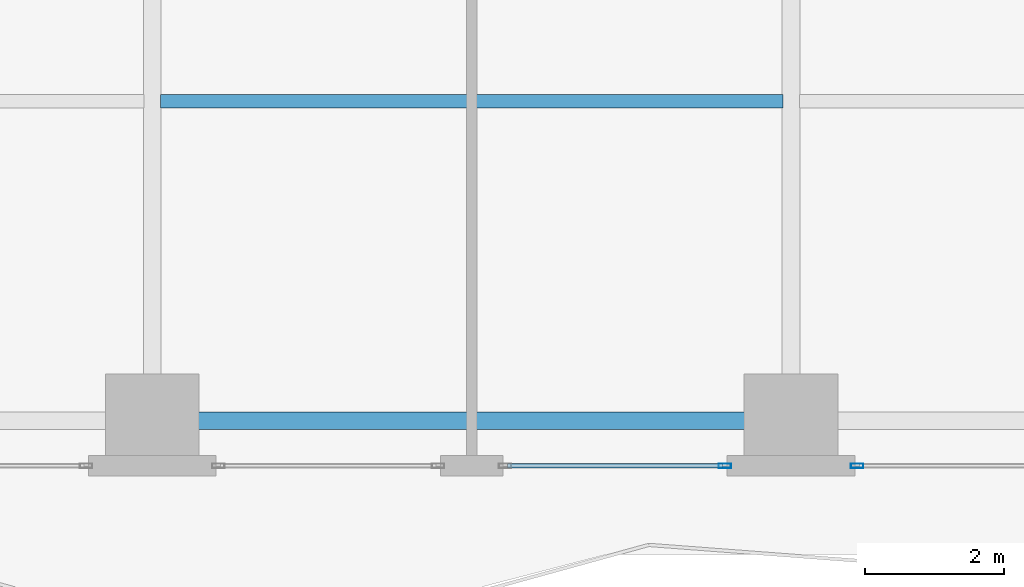
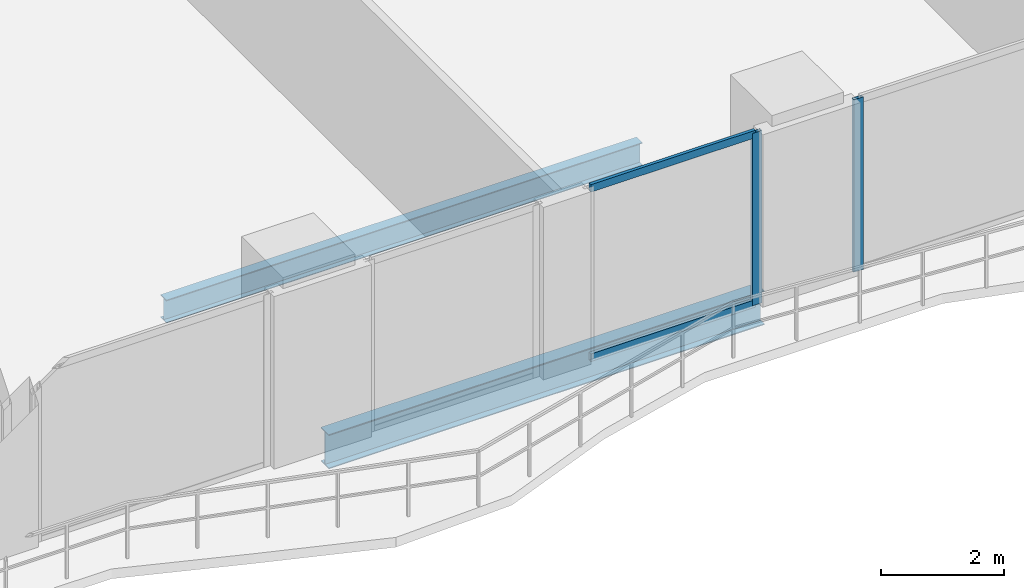
# One storey, part 5 of 30: 4 members, 2 beams, 2 elements without a shape of their own.
"""IFC4 building model written with IfcOpenShell, lengths in metres."""

from ifc_helpers import new_model, si_unit, direction, frame, origin, origin_2d, place, context, subcontext, project, spatial, hollow_rectangle, i_section, extrude, material, layer, layer_set, material_profile, profile_set, type_object, element, aggregate, save


model = new_model("IFC4")

# Units and contexts
model_context = context("Model", 3, precision=1e-05, world=origin(), true_north=direction((0.0, 1.0)))
body_context = subcontext(model_context, "Body", "Model", "MODEL_VIEW")
ifc_project = project(units=[si_unit("LENGTHUNIT", "METRE"), si_unit("AREAUNIT", "SQUARE_METRE"), si_unit("VOLUMEUNIT", "CUBIC_METRE"), si_unit("PLANEANGLEUNIT", "RADIAN"), si_unit("MASSUNIT", "GRAM", prefix="KILO")], contexts=[model_context])

# Site, building, storey
site_placement = place(None, origin())
site = spatial("IfcSite", under=ifc_project, at=site_placement, CompositionType="ELEMENT")
building_placement = place(site_placement, origin())
building = spatial("IfcBuilding", under=site, at=building_placement, Name="Zuhayl Quay Hotel", CompositionType="ELEMENT")
storey_placement = place(building_placement, frame((0.0, 0.0, 135.800048828125)))
storey = spatial("IfcBuildingStorey", under=building, at=storey_placement, Name="L34", CompositionType="ELEMENT", Elevation=135.800048828125)

# Beams
ifc_material_1 = material(Name="Steel ASTM A992 Grade 50", Category="steel")
ifc_material_profile_1 = material_profile(ifc_material_1, i_section(OverallWidth=0.25390625, OverallDepth=0.68310546875, WebThickness=0.012451171875, FlangeThickness=0.018798828125, at=origin_2d()), Name="W27X94")
ifc_profile_set_1 = profile_set([ifc_material_profile_1], Name="Steel ASTM A992 Grade 50")
beam_type_1 = type_object("IfcBeamType", Name="BM_B2_W27X94", PredefinedType="BEAM", material=ifc_profile_set_1)
beam_1_placement = place(storey_placement, frame((-4.10009765625, -14.75, -0.5615234375), z_axis=(1.0, 0.0, 0.0), x_axis=(0.0, 1.0, 0.0)))
element("IfcBeam", 1, at=beam_1_placement, inside=storey, type_object=beam_type_1, Name="L34 Floor Beam RG_L34_02", PredefinedType="BEAM", context=body_context, shape_type="SweptSolid", body=[
    extrude(i_section(OverallWidth=0.25390625, OverallDepth=0.68310546875, WebThickness=0.012451171875, FlangeThickness=0.018798828125, at=origin_2d()), origin(), (0.0, 0.0, 1.0), 8.2001953125),
])
ifc_material_profile_2 = material_profile(ifc_material_1, i_section(OverallWidth=0.18994140625, OverallDepth=0.45703125, WebThickness=0.009033203125, FlangeThickness=0.014404296875, at=origin_2d()), Name="W18X50")
ifc_profile_set_2 = profile_set([ifc_material_profile_2], Name="Steel ASTM A992 Grade 50")
beam_type_2 = type_object("IfcBeamType", Name="BM_J2_W18X50", PredefinedType="JOIST", material=ifc_profile_set_2)
beam_2_placement = place(storey_placement, frame((-4.48095703125, -10.14990234375, -0.448486328125), z_axis=(1.0, 0.0, 0.0), x_axis=(0.0, 1.0, 0.0)))
element("IfcBeam", 2, at=beam_2_placement, inside=storey, type_object=beam_type_2, Name="L34 Floor Beam FJ_L34_5_2", PredefinedType="JOIST", context=body_context, shape_type="SweptSolid", body=[
    extrude(i_section(OverallWidth=0.18994140625, OverallDepth=0.45703125, WebThickness=0.009033203125, FlangeThickness=0.014404296875, at=origin_2d()), origin(), (0.0, 0.0, 1.0), 8.9619140625),
])

# Curtain wall, member
ifc_material_2 = material(Name="Anodised Aluminium 6063-T6", Category="aluminium")
ifc_layer = layer(ifc_material_2, 0.179931640625, Name="Anodised Aluminium 6063-T6", Category="aluminium")
ifc_layer_set = layer_set([ifc_layer], Name="Anodised Aluminium 6063-T6")
curtain_wall_type = type_object("IfcCurtainWallType", Name="CW_SYS_Z2", PredefinedType="USERDEFINED", material=ifc_layer_set)
curtain_wall_1_placement = place(storey_placement, origin())
curtain_wall_1 = element("IfcCurtainWall", 3, at=curtain_wall_1_placement, inside=storey, type_object=curtain_wall_type, Name="L34 Curtain Wall ENV_L34_S_CW2", ObjectType="UNITISED CURTAIN WALL", PredefinedType="USERDEFINED")
ifc_material_3 = material(Name="Black-anodised aluminium 6063-T6", Category="aluminium")
ifc_material_profile_3 = material_profile(ifc_material_3, hollow_rectangle(XDim=0.06494140625, YDim=0.179931640625, WallThickness=0.00341796875, at=origin_2d()), Name="ALU180X65")
ifc_profile_set_3 = profile_set([ifc_material_profile_3], Name="Black-anodised aluminium 6063-T6")
member_type_1 = type_object("IfcMemberType", Name="MB_CW_MUL_180", PredefinedType="MULLION", material=ifc_profile_set_3)
member_1_placement = place(storey_placement, frame((5.552490234375, -15.39990234375, 0.0), z_axis=(0.0, 0.0, 1.0), x_axis=(0.0, -1.0, 0.0)))
member_1 = element("IfcMember", 4, at=member_1_placement, type_object=member_type_1, Name="CW-Z2 mullion 2", PredefinedType="MULLION", context=body_context, shape_type="SweptSolid", body=[
    extrude(hollow_rectangle(XDim=0.06494140625, YDim=0.179931640625, WallThickness=0.00341796875, at=origin_2d()), origin(), (0.0, 0.0, 1.0), 3.429931640625),
])
aggregate(curtain_wall_1, [member_1])

# Curtain wall, members
curtain_wall_2_placement = place(storey_placement, origin())
curtain_wall_2 = element("IfcCurtainWall", 5, at=curtain_wall_2_placement, inside=storey, type_object=curtain_wall_type, Name="L34 Curtain Wall ENV_L34_S_CW3", ObjectType="UNITISED CURTAIN WALL", PredefinedType="USERDEFINED")
member_2_placement = place(storey_placement, frame((3.6474609375, -15.39990234375, 0.0), z_axis=(0.0, 0.0, 1.0), x_axis=(0.0, -1.0, 0.0)))
member_2 = element("IfcMember", 6, at=member_2_placement, type_object=member_type_1, Name="CW-Z2 mullion 1", PredefinedType="MULLION", context=body_context, shape_type="SweptSolid", body=[
    extrude(hollow_rectangle(XDim=0.06494140625, YDim=0.179931640625, WallThickness=0.00341796875, at=origin_2d()), origin(), (0.0, 0.0, 1.0), 3.429931640625),
])
ifc_material_profile_4 = material_profile(ifc_material_3, hollow_rectangle(XDim=0.06005859375, YDim=0.14990234375, WallThickness=0.00341796875, at=origin_2d()), Name="ALU150X60")
ifc_profile_set_4 = profile_set([ifc_material_profile_4], Name="Black-anodised aluminium 6063-T6")
member_type_2 = type_object("IfcMemberType", Name="MB_CW_TRN_150", PredefinedType="USERDEFINED", material=ifc_profile_set_4)
member_3_placement = place(storey_placement, frame((3.614990234375, -15.39990234375, 0.030029296875), z_axis=(-1.0, 0.0, 0.0), x_axis=(0.0, -1.0, 0.0)))
member_3 = element("IfcMember", 7, at=member_3_placement, type_object=member_type_2, Name="CW-Z2 transom 1.1", ObjectType="TRANSOM", PredefinedType="USERDEFINED", context=body_context, shape_type="SweptSolid", body=[
    extrude(hollow_rectangle(XDim=0.06005859375, YDim=0.14990234375, WallThickness=0.00341796875, at=origin_2d()), origin(), (0.0, 0.0, 1.0), 3.10009765625),
])
member_4_placement = place(storey_placement, frame((3.614990234375, -15.39990234375, 3.39990234375), z_axis=(-1.0, 0.0, 0.0), x_axis=(0.0, -1.0, 0.0)))
member_4 = element("IfcMember", 8, at=member_4_placement, type_object=member_type_2, Name="CW-Z2 transom 1.2", ObjectType="TRANSOM", PredefinedType="USERDEFINED", context=body_context, shape_type="SweptSolid", body=[
    extrude(hollow_rectangle(XDim=0.06005859375, YDim=0.14990234375, WallThickness=0.00341796875, at=origin_2d()), origin(), (0.0, 0.0, 1.0), 3.10009765625),
])
aggregate(curtain_wall_2, [member_2, member_3, member_4])

save(model, "model.ifc")
